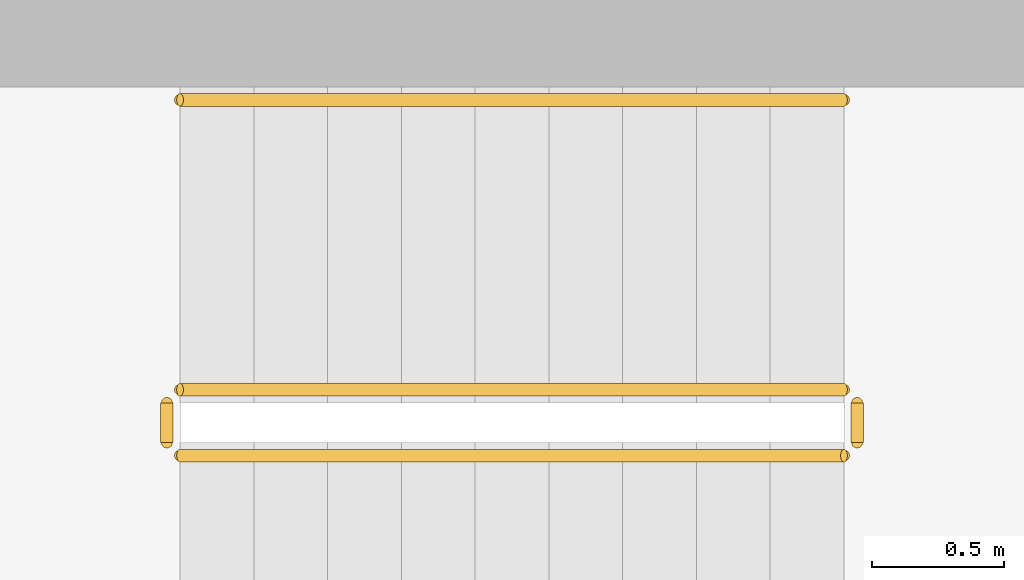
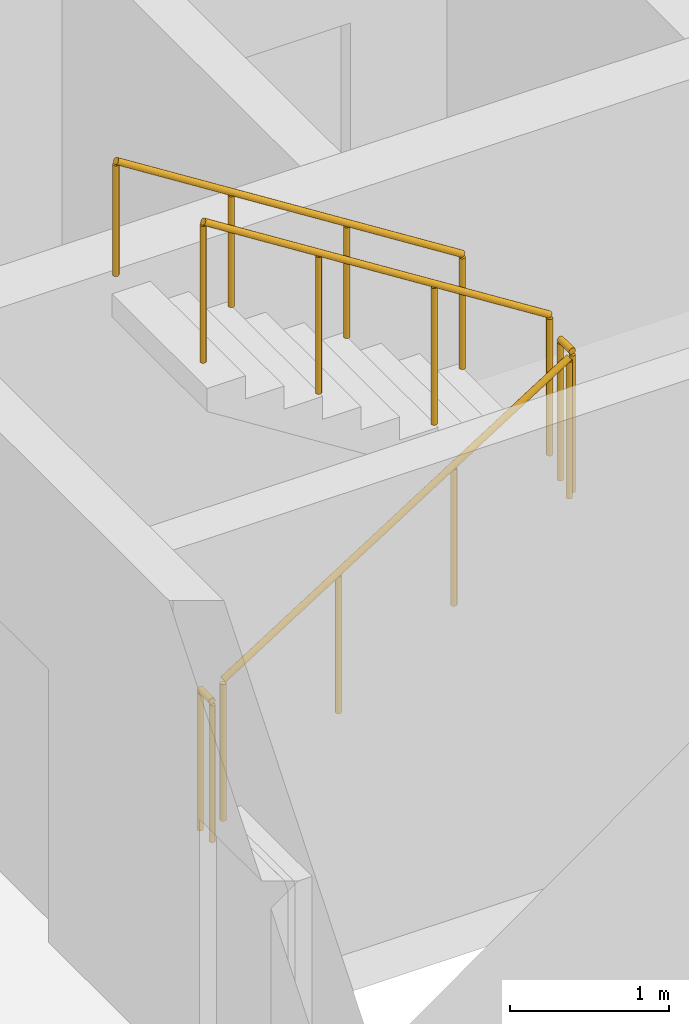
# One storey, part 15 of 17: 5 railings.
"""IFC4 building model written with IfcOpenShell, lengths in metres."""

from ifc_helpers import new_model, si_unit, direction, frame, origin, origin_2d, place, context, subcontext, project, spatial, circle, extrude, material, type_object, element, save


model = new_model("IFC4")

# Units and contexts
model_context = context("Model", 3, precision=1e-05, world=origin(), true_north=direction((0.0, 1.0)))
body_context = subcontext(model_context, "Body", "Model", "MODEL_VIEW")
ifc_project = project(units=[si_unit("LENGTHUNIT", "METRE"), si_unit("AREAUNIT", "SQUARE_METRE"), si_unit("VOLUMEUNIT", "CUBIC_METRE"), si_unit("PLANEANGLEUNIT", "RADIAN"), si_unit("MASSUNIT", "GRAM", prefix="KILO")], contexts=[model_context])

# Site, building, storey
site_placement = place(None, origin())
site = spatial("IfcSite", under=ifc_project, at=site_placement, CompositionType="ELEMENT")
building_placement = place(site_placement, origin())
building = spatial("IfcBuilding", under=site, at=building_placement, Name="Ostrand Prow Hotel Tower", CompositionType="ELEMENT")
storey_placement = place(building_placement, frame((0.0, 0.0, 207.449951171875)))
storey = spatial("IfcBuildingStorey", under=building, at=storey_placement, Name="L52", CompositionType="ELEMENT", Elevation=207.449951171875)

# Railings
ifc_material_1 = material(Name="Painted steel", Category="steel")
railing_type_1 = type_object("IfcRailingType", Name="Stair guard 1100", PredefinedType="GUARDRAIL", material=ifc_material_1)
railing_1_placement = place(storey_placement, frame((57.199951171875, -11.75, 0.177490234375)))
element("IfcRailing", 1, at=railing_1_placement, inside=storey, type_object=railing_type_1, Name="L52 ST2C stair guard 1", PredefinedType="GUARDRAIL", context=body_context, shape_type="SweptSolid", body=[
    extrude(circle(Radius=0.02392578125, at=origin_2d()), frame((0.0, 0.0, 1.076171875), z_axis=(0.84456994832, 0.0, 0.535445237532), x_axis=(0.0, 1.0, 0.0)), (0.0, 0.0, 1.0), 2.98388671875),
    extrude(circle(Radius=0.02099609375, at=origin_2d()), origin(), (0.0, 0.0, 1.0), 1.052001953125),
    extrude(circle(Radius=0.02099609375, at=origin_2d()), frame((0.840087890625, 0.0, 0.532470703125)), (0.0, 0.0, 1.0), 1.052001953125),
    extrude(circle(Radius=0.02099609375, at=origin_2d()), frame((1.679931640625, 0.0, 1.065185546875)), (0.0, 0.0, 1.0), 1.052001953125),
    extrude(circle(Radius=0.02099609375, at=origin_2d()), frame((2.52001953125, 0.0, 1.59765625)), (0.0, 0.0, 1.0), 1.052001953125),
])
railing_2_placement = place(storey_placement, frame((59.77001953125, -11.699951171875, 1.775146484375)))
element("IfcRailing", 2, at=railing_2_placement, inside=storey, type_object=railing_type_1, Name="L52 ST2C stair guard 2", PredefinedType="GUARDRAIL", context=body_context, shape_type="SweptSolid", body=[
    extrude(circle(Radius=0.02392578125, at=origin_2d()), frame((0.0, 0.0, 1.076171875), z_axis=(0.0, 1.0, 0.0), x_axis=(-1.0, 0.0, 0.0)), (0.0, 0.0, 1.0), 0.14990234375),
    extrude(circle(Radius=0.02099609375, at=origin_2d()), origin(), (0.0, 0.0, 1.0), 1.052001953125),
    extrude(circle(Radius=0.02099609375, at=origin_2d()), frame((0.0, 0.14990234375, 0.0)), (0.0, 0.0, 1.0), 1.052001953125),
])
railing_3_placement = place(storey_placement, frame((59.719970703125, -11.5, 1.95263671875)))
element("IfcRailing", 3, at=railing_3_placement, inside=storey, type_object=railing_type_1, Name="L52 ST2C stair guard 3", PredefinedType="GUARDRAIL", context=body_context, shape_type="SweptSolid", body=[
    extrude(circle(Radius=0.02392578125, at=origin_2d()), frame((0.0, 0.0, 1.076171875), z_axis=(-0.84460694969, 0.0, 0.535386869969), x_axis=(0.0, -1.0, 0.0)), (0.0, 0.0, 1.0), 2.983642578125),
    extrude(circle(Radius=0.02099609375, at=origin_2d()), origin(), (0.0, 0.0, 1.0), 1.052001953125),
    extrude(circle(Radius=0.02099609375, at=origin_2d()), frame((-0.840087890625, 0.0, 0.532470703125)), (0.0, 0.0, 1.0), 1.052001953125),
    extrude(circle(Radius=0.02099609375, at=origin_2d()), frame((-1.679931640625, 0.0, 1.06494140625)), (0.0, 0.0, 1.0), 1.052001953125),
    extrude(circle(Radius=0.02099609375, at=origin_2d()), frame((-2.52001953125, 0.0, 1.597412109375)), (0.0, 0.0, 1.0), 1.052001953125),
])
railing_4_placement = place(storey_placement, frame((57.14990234375, -11.699951171875, 0.0)))
element("IfcRailing", 4, at=railing_4_placement, inside=storey, type_object=railing_type_1, Name="L52 ST2C stair guard 4", PredefinedType="GUARDRAIL", context=body_context, shape_type="SweptSolid", body=[
    extrude(circle(Radius=0.02392578125, at=origin_2d()), frame((0.0, 0.0, 1.076171875), z_axis=(0.0, 1.0, 0.0), x_axis=(-1.0, 0.0, 0.0)), (0.0, 0.0, 1.0), 0.14990234375),
    extrude(circle(Radius=0.02099609375, at=origin_2d()), origin(), (0.0, 0.0, 1.0), 1.052001953125),
    extrude(circle(Radius=0.02099609375, at=origin_2d()), frame((0.0, 0.14990234375, 0.0)), (0.0, 0.0, 1.0), 1.052001953125),
])
ifc_material_2 = material(Name="Stainless steel", Category="steel")
railing_type_2 = type_object("IfcRailingType", Name="Stair handrail 900", PredefinedType="HANDRAIL", material=ifc_material_2)
railing_5_placement = place(storey_placement, frame((59.719970703125, -10.39990234375, 1.95263671875)))
element("IfcRailing", 5, at=railing_5_placement, inside=storey, type_object=railing_type_2, Name="L52 ST2C stair handrail 2", PredefinedType="HANDRAIL", context=body_context, shape_type="SweptSolid", body=[
    extrude(circle(Radius=0.02392578125, at=origin_2d()), frame((0.0, 0.0, 0.8759765625), z_axis=(-0.84460694969, 0.0, 0.535386869969), x_axis=(0.0, -1.0, 0.0)), (0.0, 0.0, 1.0), 2.983642578125),
    extrude(circle(Radius=0.02099609375, at=origin_2d()), origin(), (0.0, 0.0, 1.0), 0.851806640625),
    extrude(circle(Radius=0.02099609375, at=origin_2d()), frame((-0.840087890625, 0.0, 0.532470703125)), (0.0, 0.0, 1.0), 0.851806640625),
    extrude(circle(Radius=0.02099609375, at=origin_2d()), frame((-1.679931640625, 0.0, 1.06494140625)), (0.0, 0.0, 1.0), 0.851806640625),
    extrude(circle(Radius=0.02099609375, at=origin_2d()), frame((-2.52001953125, 0.0, 1.597412109375)), (0.0, 0.0, 1.0), 0.851806640625),
])

save(model, "model.ifc")
